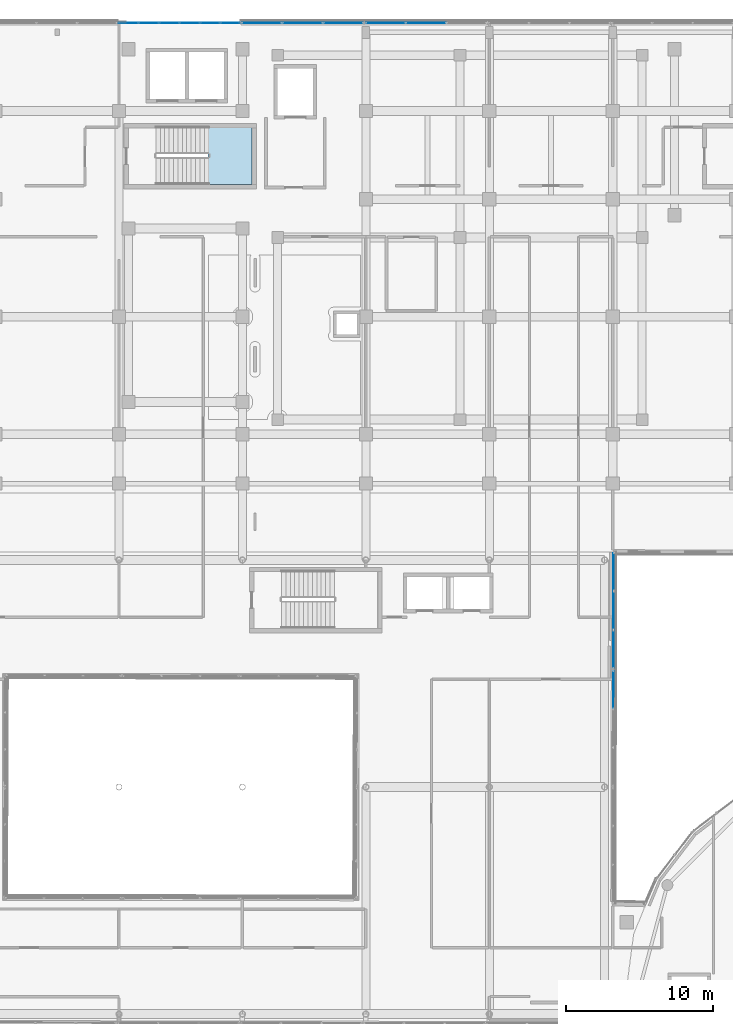
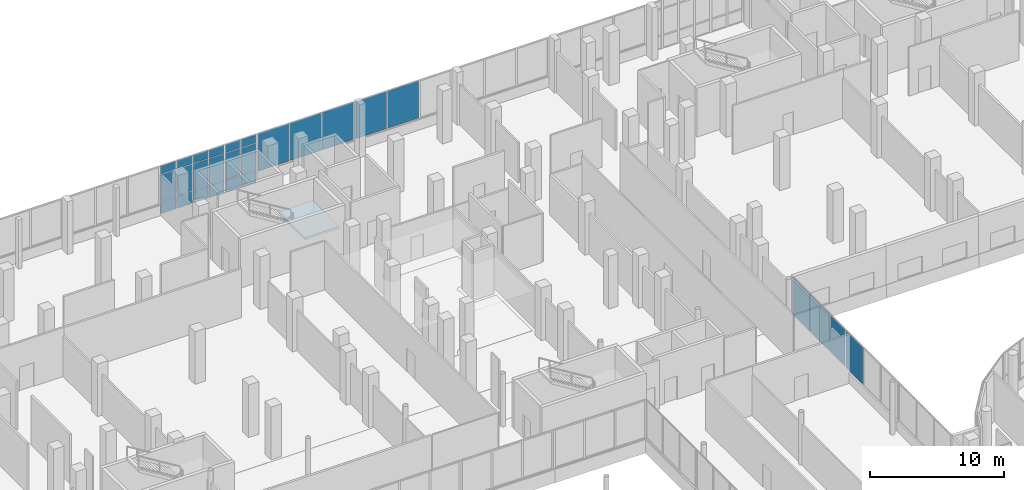
# One storey, part 132 of 168: 27 plates, 1 slab, 6 elements without a shape of their own.
"""IFC4 building model written with IfcOpenShell, lengths in metres."""

from ifc_helpers import new_model, si_unit, direction, frame, origin, origin_2d, place, context, subcontext, project, spatial, polyline, rectangle, outline, extrude, material, layer, layer_set, type_object, element, aggregate, save


model = new_model("IFC4")

# Units and contexts
model_context = context("Model", 3, precision=1e-05, world=origin(), true_north=direction((0.0, 1.0)))
body_context = subcontext(model_context, "Body", "Model", "MODEL_VIEW")
ifc_project = project(units=[si_unit("LENGTHUNIT", "METRE"), si_unit("AREAUNIT", "SQUARE_METRE"), si_unit("VOLUMEUNIT", "CUBIC_METRE"), si_unit("PLANEANGLEUNIT", "RADIAN"), si_unit("MASSUNIT", "GRAM", prefix="KILO")], contexts=[model_context])

# Site, building, storey
site_placement = place(None, origin())
site = spatial("IfcSite", under=ifc_project, at=site_placement, CompositionType="ELEMENT")
building_placement = place(site_placement, origin())
building = spatial("IfcBuilding", under=site, at=building_placement, Name="Selatvlak General Hospital", CompositionType="ELEMENT")
storey_placement = place(building_placement, frame((0.0, 0.0, 5.39990234375)))
storey = spatial("IfcBuildingStorey", under=building, at=storey_placement, Name="L01", CompositionType="ELEMENT", Elevation=5.39990234375)

# Curtain wall, plates
ifc_material_1 = material(Name="Solar-control Low-E double glazing", Category="glass")
curtain_wall_type_1 = type_object("IfcCurtainWallType", Name="CW-CW-04", PredefinedType="USERDEFINED", material=ifc_material_1)
curtain_wall_1_placement = place(storey_placement, origin())
curtain_wall_1 = element("IfcCurtainWall", 1, at=curtain_wall_1_placement, inside=storey, type_object=curtain_wall_type_1, Name="Glazed facade curtain wall CW-L01-0116", ObjectType="STICK GLAZING WALL", PredefinedType="USERDEFINED")
ifc_layer_1 = layer(ifc_material_1, 0.028076171875, Name="Solar-control Low-E double glazing", Category="glass")
ifc_layer_set_1 = layer_set([ifc_layer_1], Name="Solar-control Low-E double glazing")
plate_type = type_object("IfcPlateType", Name="CWP-01", PredefinedType="CURTAIN_PANEL", material=ifc_layer_set_1)
plate_1_placement = place(storey_placement, frame((48.64697265625, 119.9990234375, 0.065185546875), z_axis=(0.0, 0.0, 1.0), x_axis=(1.0, 0.0, 0.0)))
plate_1 = element("IfcPlate", 2, at=plate_1_placement, type_object=plate_type, Name="CW-04 panel 1.1", PredefinedType="CURTAIN_PANEL", context=body_context, shape_type="SweptSolid", body=[
    extrude(rectangle(XDim=1.294189453125, YDim=0.028076171875, at=origin_2d()), origin(), (0.0, 0.0, 1.0), 1.1025390625),
])
plate_2_placement = place(storey_placement, frame((48.64697265625, 119.9990234375, 1.232666015625), z_axis=(0.0, 0.0, 1.0), x_axis=(1.0, 0.0, 0.0)))
plate_2 = element("IfcPlate", 3, at=plate_2_placement, type_object=plate_type, Name="CW-04 panel 1.2", PredefinedType="CURTAIN_PANEL", context=body_context, shape_type="SweptSolid", body=[
    extrude(rectangle(XDim=1.294189453125, YDim=0.028076171875, at=origin_2d()), origin(), (0.0, 0.0, 1.0), 2.3798828125),
])
plate_3_placement = place(storey_placement, frame((48.64697265625, 119.9990234375, 3.677734375), z_axis=(0.0, 0.0, 1.0), x_axis=(1.0, 0.0, 0.0)))
plate_3 = element("IfcPlate", 4, at=plate_3_placement, type_object=plate_type, Name="CW-04 panel 1.3", PredefinedType="CURTAIN_PANEL", context=body_context, shape_type="SweptSolid", body=[
    extrude(rectangle(XDim=1.294189453125, YDim=0.028076171875, at=origin_2d()), origin(), (0.0, 0.0, 1.0), 0.702392578125),
])
plate_4_placement = place(storey_placement, frame((50.0224609375, 119.9990234375, 0.065185546875), z_axis=(0.0, 0.0, 1.0), x_axis=(1.0, 0.0, 0.0)))
plate_4 = element("IfcPlate", 5, at=plate_4_placement, type_object=plate_type, Name="CW-04 panel 2.1", PredefinedType="CURTAIN_PANEL", context=body_context, shape_type="SweptSolid", body=[
    extrude(rectangle(XDim=1.32666015625, YDim=0.028076171875, at=origin_2d()), origin(), (0.0, 0.0, 1.0), 1.1025390625),
])
plate_5_placement = place(storey_placement, frame((50.0224609375, 119.9990234375, 1.232666015625), z_axis=(0.0, 0.0, 1.0), x_axis=(1.0, 0.0, 0.0)))
plate_5 = element("IfcPlate", 6, at=plate_5_placement, type_object=plate_type, Name="CW-04 panel 2.2", PredefinedType="CURTAIN_PANEL", context=body_context, shape_type="SweptSolid", body=[
    extrude(rectangle(XDim=1.32666015625, YDim=0.028076171875, at=origin_2d()), origin(), (0.0, 0.0, 1.0), 2.3798828125),
])
plate_6_placement = place(storey_placement, frame((50.0224609375, 119.9990234375, 3.677734375), z_axis=(0.0, 0.0, 1.0), x_axis=(1.0, 0.0, 0.0)))
plate_6 = element("IfcPlate", 7, at=plate_6_placement, type_object=plate_type, Name="CW-04 panel 2.3", PredefinedType="CURTAIN_PANEL", context=body_context, shape_type="SweptSolid", body=[
    extrude(rectangle(XDim=1.32666015625, YDim=0.028076171875, at=origin_2d()), origin(), (0.0, 0.0, 1.0), 0.702392578125),
])
plate_7_placement = place(storey_placement, frame((51.4140625, 119.9990234375, 0.065185546875), z_axis=(0.0, 0.0, 1.0), x_axis=(1.0, 0.0, 0.0)))
plate_7 = element("IfcPlate", 8, at=plate_7_placement, type_object=plate_type, Name="CW-04 panel 3.1", PredefinedType="CURTAIN_PANEL", context=body_context, shape_type="SweptSolid", body=[
    extrude(rectangle(XDim=1.32666015625, YDim=0.028076171875, at=origin_2d()), origin(), (0.0, 0.0, 1.0), 1.1025390625),
])
plate_8_placement = place(storey_placement, frame((51.4140625, 119.9990234375, 1.232666015625), z_axis=(0.0, 0.0, 1.0), x_axis=(1.0, 0.0, 0.0)))
plate_8 = element("IfcPlate", 9, at=plate_8_placement, type_object=plate_type, Name="CW-04 panel 3.2", PredefinedType="CURTAIN_PANEL", context=body_context, shape_type="SweptSolid", body=[
    extrude(rectangle(XDim=1.32666015625, YDim=0.028076171875, at=origin_2d()), origin(), (0.0, 0.0, 1.0), 2.3798828125),
])
plate_9_placement = place(storey_placement, frame((51.4140625, 119.9990234375, 3.677734375), z_axis=(0.0, 0.0, 1.0), x_axis=(1.0, 0.0, 0.0)))
plate_9 = element("IfcPlate", 10, at=plate_9_placement, type_object=plate_type, Name="CW-04 panel 3.3", PredefinedType="CURTAIN_PANEL", context=body_context, shape_type="SweptSolid", body=[
    extrude(rectangle(XDim=1.32666015625, YDim=0.028076171875, at=origin_2d()), origin(), (0.0, 0.0, 1.0), 0.702392578125),
])
plate_10_placement = place(storey_placement, frame((52.805908203125, 119.9990234375, 0.065185546875), z_axis=(0.0, 0.0, 1.0), x_axis=(1.0, 0.0, 0.0)))
plate_10 = element("IfcPlate", 11, at=plate_10_placement, type_object=plate_type, Name="CW-04 panel 4.1", PredefinedType="CURTAIN_PANEL", context=body_context, shape_type="SweptSolid", body=[
    extrude(rectangle(XDim=1.32666015625, YDim=0.028076171875, at=origin_2d()), origin(), (0.0, 0.0, 1.0), 1.1025390625),
])
plate_11_placement = place(storey_placement, frame((52.805908203125, 119.9990234375, 1.232666015625), z_axis=(0.0, 0.0, 1.0), x_axis=(1.0, 0.0, 0.0)))
plate_11 = element("IfcPlate", 12, at=plate_11_placement, type_object=plate_type, Name="CW-04 panel 4.2", PredefinedType="CURTAIN_PANEL", context=body_context, shape_type="SweptSolid", body=[
    extrude(rectangle(XDim=1.32666015625, YDim=0.028076171875, at=origin_2d()), origin(), (0.0, 0.0, 1.0), 2.3798828125),
])
plate_12_placement = place(storey_placement, frame((52.805908203125, 119.9990234375, 3.677734375), z_axis=(0.0, 0.0, 1.0), x_axis=(1.0, 0.0, 0.0)))
plate_12 = element("IfcPlate", 13, at=plate_12_placement, type_object=plate_type, Name="CW-04 panel 4.3", PredefinedType="CURTAIN_PANEL", context=body_context, shape_type="SweptSolid", body=[
    extrude(rectangle(XDim=1.32666015625, YDim=0.028076171875, at=origin_2d()), origin(), (0.0, 0.0, 1.0), 0.702392578125),
])
plate_13_placement = place(storey_placement, frame((54.197509765625, 119.9990234375, 0.065185546875), z_axis=(0.0, 0.0, 1.0), x_axis=(1.0, 0.0, 0.0)))
plate_13 = element("IfcPlate", 14, at=plate_13_placement, type_object=plate_type, Name="CW-04 panel 5.1", PredefinedType="CURTAIN_PANEL", context=body_context, shape_type="SweptSolid", body=[
    extrude(rectangle(XDim=1.32666015625, YDim=0.028076171875, at=origin_2d()), origin(), (0.0, 0.0, 1.0), 1.1025390625),
])
plate_14_placement = place(storey_placement, frame((54.197509765625, 119.9990234375, 1.232666015625), z_axis=(0.0, 0.0, 1.0), x_axis=(1.0, 0.0, 0.0)))
plate_14 = element("IfcPlate", 15, at=plate_14_placement, type_object=plate_type, Name="CW-04 panel 5.2", PredefinedType="CURTAIN_PANEL", context=body_context, shape_type="SweptSolid", body=[
    extrude(rectangle(XDim=1.32666015625, YDim=0.028076171875, at=origin_2d()), origin(), (0.0, 0.0, 1.0), 2.3798828125),
])
plate_15_placement = place(storey_placement, frame((54.197509765625, 119.9990234375, 3.677734375), z_axis=(0.0, 0.0, 1.0), x_axis=(1.0, 0.0, 0.0)))
plate_15 = element("IfcPlate", 16, at=plate_15_placement, type_object=plate_type, Name="CW-04 panel 5.3", PredefinedType="CURTAIN_PANEL", context=body_context, shape_type="SweptSolid", body=[
    extrude(rectangle(XDim=1.32666015625, YDim=0.028076171875, at=origin_2d()), origin(), (0.0, 0.0, 1.0), 0.702392578125),
])
plate_16_placement = place(storey_placement, frame((55.572998046875, 119.9990234375, 0.065185546875), z_axis=(0.0, 0.0, 1.0), x_axis=(1.0, 0.0, 0.0)))
plate_16 = element("IfcPlate", 17, at=plate_16_placement, type_object=plate_type, Name="CW-04 panel 6.1", PredefinedType="CURTAIN_PANEL", context=body_context, shape_type="SweptSolid", body=[
    extrude(rectangle(XDim=1.294189453125, YDim=0.028076171875, at=origin_2d()), origin(), (0.0, 0.0, 1.0), 1.1025390625),
])
plate_17_placement = place(storey_placement, frame((55.572998046875, 119.9990234375, 1.232666015625), z_axis=(0.0, 0.0, 1.0), x_axis=(1.0, 0.0, 0.0)))
plate_17 = element("IfcPlate", 18, at=plate_17_placement, type_object=plate_type, Name="CW-04 panel 6.2", PredefinedType="CURTAIN_PANEL", context=body_context, shape_type="SweptSolid", body=[
    extrude(rectangle(XDim=1.294189453125, YDim=0.028076171875, at=origin_2d()), origin(), (0.0, 0.0, 1.0), 2.3798828125),
])
plate_18_placement = place(storey_placement, frame((55.572998046875, 119.9990234375, 3.677734375), z_axis=(0.0, 0.0, 1.0), x_axis=(1.0, 0.0, 0.0)))
plate_18 = element("IfcPlate", 19, at=plate_18_placement, type_object=plate_type, Name="CW-04 panel 6.3", PredefinedType="CURTAIN_PANEL", context=body_context, shape_type="SweptSolid", body=[
    extrude(rectangle(XDim=1.294189453125, YDim=0.028076171875, at=origin_2d()), origin(), (0.0, 0.0, 1.0), 0.702392578125),
])
aggregate(curtain_wall_1, [plate_1, plate_2, plate_3, plate_4, plate_5, plate_6, plate_7, plate_8, plate_9, plate_10, plate_11, plate_12, plate_13, plate_14, plate_15, plate_16, plate_17, plate_18])

curtain_wall_type_2 = type_object("IfcCurtainWallType", Name="CW-CW-02", PredefinedType="USERDEFINED", material=ifc_material_1)
curtain_wall_2_placement = place(storey_placement, origin())
curtain_wall_2 = element("IfcCurtainWall", 20, at=curtain_wall_2_placement, inside=storey, type_object=curtain_wall_type_2, Name="Glazed facade curtain wall CW-L01-0117", ObjectType="UNITISED CURTAIN WALL", PredefinedType="USERDEFINED")
plate_19_placement = place(storey_placement, frame((57.722900390625, 119.9990234375, 1.005126953125), z_axis=(0.0, 0.0, 1.0), x_axis=(1.0, 0.0, 0.0)))
plate_19 = element("IfcPlate", 21, at=plate_19_placement, type_object=plate_type, Name="CW-02 panel 1.1", PredefinedType="CURTAIN_PANEL", context=body_context, shape_type="SweptSolid", body=[
    extrude(rectangle(XDim=2.685791015625, YDim=0.028076171875, at=origin_2d()), origin(), (0.0, 0.0, 1.0), 3.375),
])
plate_20_placement = place(storey_placement, frame((60.489990234375, 119.9990234375, 1.005126953125), z_axis=(0.0, 0.0, 1.0), x_axis=(1.0, 0.0, 0.0)))
plate_20 = element("IfcPlate", 22, at=plate_20_placement, type_object=plate_type, Name="CW-02 panel 2.1", PredefinedType="CURTAIN_PANEL", context=body_context, shape_type="SweptSolid", body=[
    extrude(rectangle(XDim=2.71826171875, YDim=0.028076171875, at=origin_2d()), origin(), (0.0, 0.0, 1.0), 3.375),
])
plate_21_placement = place(storey_placement, frame((63.257080078125, 119.9990234375, 1.005126953125), z_axis=(0.0, 0.0, 1.0), x_axis=(1.0, 0.0, 0.0)))
plate_21 = element("IfcPlate", 23, at=plate_21_placement, type_object=plate_type, Name="CW-02 panel 3.1", PredefinedType="CURTAIN_PANEL", context=body_context, shape_type="SweptSolid", body=[
    extrude(rectangle(XDim=2.685791015625, YDim=0.028076171875, at=origin_2d()), origin(), (0.0, 0.0, 1.0), 3.375),
])
aggregate(curtain_wall_2, [plate_19, plate_20, plate_21])

curtain_wall_type_3 = type_object("IfcCurtainWallType", Name="CW-CW-01", PredefinedType="USERDEFINED", material=ifc_material_1)
curtain_wall_3_placement = place(storey_placement, origin())
curtain_wall_3 = element("IfcCurtainWall", 24, at=curtain_wall_3_placement, inside=storey, type_object=curtain_wall_type_3, Name="Glazed facade curtain wall CW-L01-0118", ObjectType="UNITISED CURTAIN WALL", PredefinedType="USERDEFINED")
plate_22_placement = place(storey_placement, frame((66.14453125, 119.9990234375, 1.005126953125), z_axis=(0.0, 0.0, 1.0), x_axis=(1.0, 0.0, 0.0)))
plate_22 = element("IfcPlate", 25, at=plate_22_placement, type_object=plate_type, Name="CW-01 panel 1.1", PredefinedType="CURTAIN_PANEL", context=body_context, shape_type="SweptSolid", body=[
    extrude(rectangle(XDim=2.669189453125, YDim=0.028076171875, at=origin_2d()), origin(), (0.0, 0.0, 1.0), 3.375),
])
plate_23_placement = place(storey_placement, frame((68.89501953125, 119.9990234375, 1.005126953125), z_axis=(0.0, 0.0, 1.0), x_axis=(1.0, 0.0, 0.0)))
plate_23 = element("IfcPlate", 26, at=plate_23_placement, type_object=plate_type, Name="CW-01 panel 2.1", PredefinedType="CURTAIN_PANEL", context=body_context, shape_type="SweptSolid", body=[
    extrude(rectangle(XDim=2.70166015625, YDim=0.028076171875, at=origin_2d()), origin(), (0.0, 0.0, 1.0), 3.375),
])
aggregate(curtain_wall_3, [plate_22, plate_23])

curtain_wall_4_placement = place(storey_placement, origin())
curtain_wall_4 = element("IfcCurtainWall", 27, at=curtain_wall_4_placement, inside=storey, type_object=curtain_wall_type_3, Name="Glazed facade curtain wall CW-L01-0226", ObjectType="UNITISED CURTAIN WALL", PredefinedType="USERDEFINED")
plate_24_placement = place(storey_placement, frame((81.65673828125, 82.643798828125, 1.005126953125), z_axis=(0.0, 0.0, 1.0), x_axis=(-0.002515715314, -0.999996835583, 0.0)))
plate_24 = element("IfcPlate", 28, at=plate_24_placement, type_object=plate_type, Name="CW-01 panel 1.1", PredefinedType="CURTAIN_PANEL", context=body_context, shape_type="SweptSolid", body=[
    extrude(rectangle(XDim=2.552490234375, YDim=0.028076171875, at=origin_2d()), origin(), (0.0, 0.0, 1.0), 3.375),
])
plate_25_placement = place(storey_placement, frame((81.64990234375, 80.010009765625, 1.005126953125), z_axis=(0.0, 0.0, 1.0), x_axis=(-0.002515715314, -0.999996835583, 0.0)))
plate_25 = element("IfcPlate", 29, at=plate_25_placement, type_object=plate_type, Name="CW-01 panel 2.1", PredefinedType="CURTAIN_PANEL", context=body_context, shape_type="SweptSolid", body=[
    extrude(rectangle(XDim=2.5849609375, YDim=0.028076171875, at=origin_2d()), origin(), (0.0, 0.0, 1.0), 3.375),
])
plate_26_placement = place(storey_placement, frame((81.643310546875, 77.376220703125, 1.005126953125), z_axis=(0.0, 0.0, 1.0), x_axis=(-0.002515715314, -0.999996835583, 0.0)))
plate_26 = element("IfcPlate", 30, at=plate_26_placement, type_object=plate_type, Name="CW-01 panel 3.1", PredefinedType="CURTAIN_PANEL", context=body_context, shape_type="SweptSolid", body=[
    extrude(rectangle(XDim=2.552490234375, YDim=0.028076171875, at=origin_2d()), origin(), (0.0, 0.0, 1.0), 3.375),
])
aggregate(curtain_wall_4, [plate_24, plate_25, plate_26])

# Curtain wall, plate
curtain_wall_5_placement = place(storey_placement, origin())
curtain_wall_5 = element("IfcCurtainWall", 31, at=curtain_wall_5_placement, inside=storey, type_object=curtain_wall_type_2, Name="Glazed facade curtain wall CW-L01-0227", ObjectType="UNITISED CURTAIN WALL", PredefinedType="USERDEFINED")
plate_27_placement = place(storey_placement, frame((81.63671875, 74.6220703125, 1.005126953125), z_axis=(0.0, 0.0, 1.0), x_axis=(-0.002531637448, -0.999996795401, 0.0)))
plate_27 = element("IfcPlate", 32, at=plate_27_placement, type_object=plate_type, Name="CW-02 panel 1.1", PredefinedType="CURTAIN_PANEL", context=body_context, shape_type="SweptSolid", body=[
    extrude(rectangle(XDim=2.535888671875, YDim=0.028076171875, at=origin_2d()), origin(), (0.0, 0.0, 1.0), 3.375),
])
aggregate(curtain_wall_5, [plate_27])

# Stair, slab
ifc_material_2 = material(Name="Precast concrete C40/50", Category="concrete")
stair_type = type_object("IfcStairType", Name="STAIR-ST-01", PredefinedType="HALF_TURN_STAIR", material=ifc_material_2)
stair_placement = place(storey_placement, origin())
stair = element("IfcStair", 33, at=stair_placement, inside=storey, type_object=stair_type, Name="L01 Protected exit stair ST-01", PredefinedType="HALF_TURN_STAIR")
ifc_material_3 = material(Name="Concrete C40/50", Category="concrete")
ifc_layer_2 = layer(ifc_material_3, 0.199951171875, Name="Concrete C40/50", Category="concrete")
ifc_layer_set_2 = layer_set([ifc_layer_2], Name="Concrete C40/50")
slab_type = type_object("IfcSlabType", Name="SLAB-LND1", PredefinedType="LANDING", material=ifc_layer_set_2)
slab_placement = place(storey_placement, frame((0.0, 0.0, 2.2001953125)))
slab = element("IfcSlab", 34, at=slab_placement, type_object=slab_type, Name="ST-01 landing 1", PredefinedType="LANDING", context=body_context, shape_type="SweptSolid", body=[
    extrude(outline(polyline([(54.06494140625, 109.0), (57.050048828125, 109.0), (57.050048828125, 112.93994140625), (54.06494140625, 112.93994140625), (54.06494140625, 109.0)])), origin(), (0.0, 0.0, 1.0), 0.199951171875),
])
aggregate(stair, [slab])

save(model, "model.ifc")
